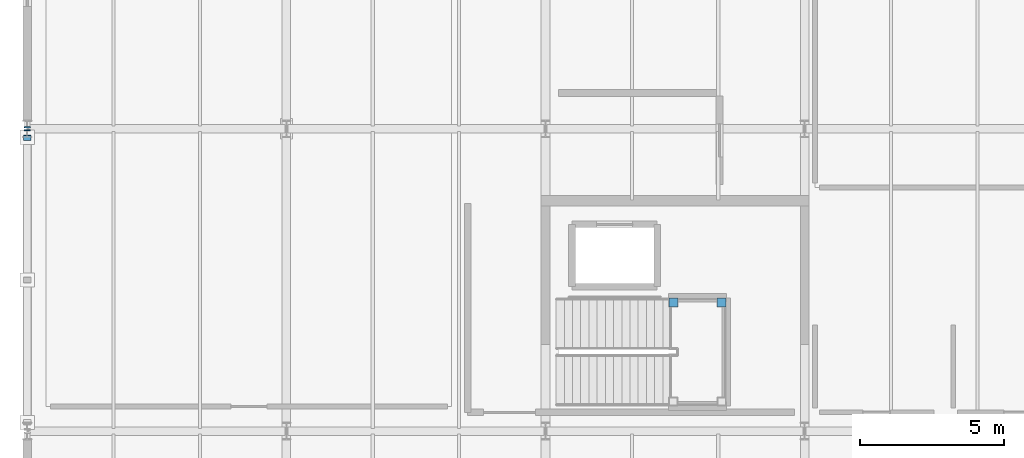
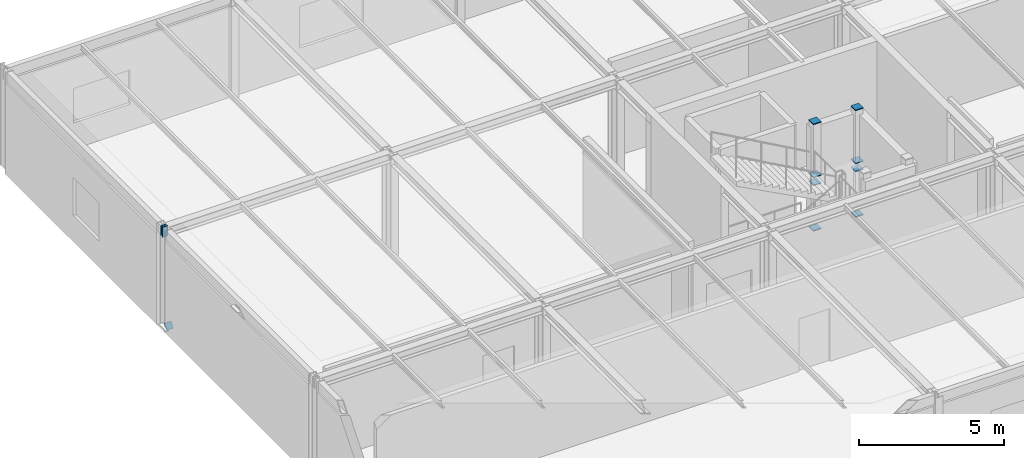
# One storey, part 72 of 105: 11 discrete accessories.
"""IFC4 building model written with IfcOpenShell, lengths in metres."""

from ifc_helpers import new_model, si_unit, direction, frame, origin, origin_2d, place, context, subcontext, project, spatial, rectangle, extrude, material, element, save


model = new_model("IFC4")

# Units and contexts
model_context = context("Model", 3, precision=1e-05, world=origin(), true_north=direction((0.0, 1.0)))
body_context = subcontext(model_context, "Body", "Model", "MODEL_VIEW")
ifc_project = project(units=[si_unit("LENGTHUNIT", "METRE"), si_unit("AREAUNIT", "SQUARE_METRE"), si_unit("VOLUMEUNIT", "CUBIC_METRE"), si_unit("PLANEANGLEUNIT", "RADIAN"), si_unit("MASSUNIT", "GRAM", prefix="KILO")], contexts=[model_context])

# Site, building, storey
site_placement = place(None, origin())
site = spatial("IfcSite", under=ifc_project, at=site_placement, CompositionType="ELEMENT")
building_placement = place(site_placement, origin())
building = spatial("IfcBuilding", under=site, at=building_placement, Name="Marlcrest Central Station", CompositionType="ELEMENT")
storey_placement = place(building_placement, frame((0.0, 0.0, 15.0)))
storey = spatial("IfcBuildingStorey", under=building, at=storey_placement, Name="L03", CompositionType="ELEMENT", Elevation=15.0)

# Discrete accessories
ifc_material = material(Name="Steel S355", Category="steel")
for number, where, z_axis, x_axis, name in (
    (1, (0.0, 120.925048828125, 4.0849609375), (0.0, 1.0, 0.0), (-1.0, 0.0, 0.0), "endcap-bm-SP-01-L03-00501-e"),
    (2, (0.0, 121.03515625, 4.0849609375), (0.0, 1.0, 0.0), (-1.0, 0.0, 0.0), "endcap-bm-SP-01-L03-00502-s"),
):
    element("IfcDiscreteAccessory", number, at=place(storey_placement, frame(where, z_axis=z_axis, x_axis=x_axis)), inside=storey, material=ifc_material, Name=name, ObjectType="END_CAP_PLATE", PredefinedType="BRACKET", context=body_context, shape_type="SweptSolid", body=[
        extrude(rectangle(XDim=0.216064453125, YDim=0.416015625, at=origin_2d()), origin(), (0.0, 0.0, 1.0), 0.0400390625),
    ])
discrete_accessory_placement = place(storey_placement, frame((0.0, 120.7119140625, 0.240966796875), z_axis=(0.0, -0.794384522853, 0.607415203837), x_axis=(1.0, 0.0, 0.0)))
element("IfcDiscreteAccessory", 3, at=discrete_accessory_placement, inside=storey, material=ifc_material, Name="endcap-mem-BF-02-L03-00008-s", ObjectType="END_CAP_PLATE", PredefinedType="BRACKET", context=body_context, shape_type="SweptSolid", body=[
    extrude(rectangle(XDim=0.26611328125, YDim=0.26611328125, at=origin_2d()), origin(), (0.0, 0.0, 1.0), 0.0400390625),
])
for number, where, z_axis, x_axis, name in (
    (4, (24.1201171875, 114.969970703125, -0.014892578125), (0.0, 0.0, 1.0), (1.0, 0.0, 0.0), "endcap-htcol-lo-0050-2-s"),
    (5, (24.1201171875, 114.969970703125, 1.905029296875), (0.0, 0.0, 1.0), (1.0, 0.0, 0.0), "endcap-htcol-lo-0050-2-e"),
    (6, (24.1201171875, 114.969970703125, 2.235107421875), (0.0, 0.0, 1.0), (1.0, 0.0, 0.0), "endcap-htcol-hi-0050-2-s"),
    (7, (24.1201171875, 114.969970703125, 4.47509765625), (0.0, 0.0, 1.0), (1.0, 0.0, 0.0), "endcap-htcol-hi-0050-2-e"),
    (8, (22.43994140625, 114.969970703125, -0.014892578125), (0.0, 0.0, 1.0), (1.0, 0.0, 0.0), "endcap-htcol-lo-0050-3-s"),
    (9, (22.43994140625, 114.969970703125, 1.905029296875), (0.0, 0.0, 1.0), (1.0, 0.0, 0.0), "endcap-htcol-lo-0050-3-e"),
    (10, (22.43994140625, 114.969970703125, 2.235107421875), (0.0, 0.0, 1.0), (1.0, 0.0, 0.0), "endcap-htcol-hi-0050-3-s"),
    (11, (22.43994140625, 114.969970703125, 4.47509765625), (0.0, 0.0, 1.0), (1.0, 0.0, 0.0), "endcap-htcol-hi-0050-3-e"),
):
    element("IfcDiscreteAccessory", number, at=place(storey_placement, frame(where, z_axis=z_axis, x_axis=x_axis)), inside=storey, material=ifc_material, Name=name, ObjectType="END_CAP_PLATE", PredefinedType="BRACKET", context=body_context, shape_type="SweptSolid", body=[
        extrude(rectangle(XDim=0.31591796875, YDim=0.31591796875, at=origin_2d()), origin(), (0.0, 0.0, 1.0), 0.0400390625),
    ])

save(model, "model.ifc")
